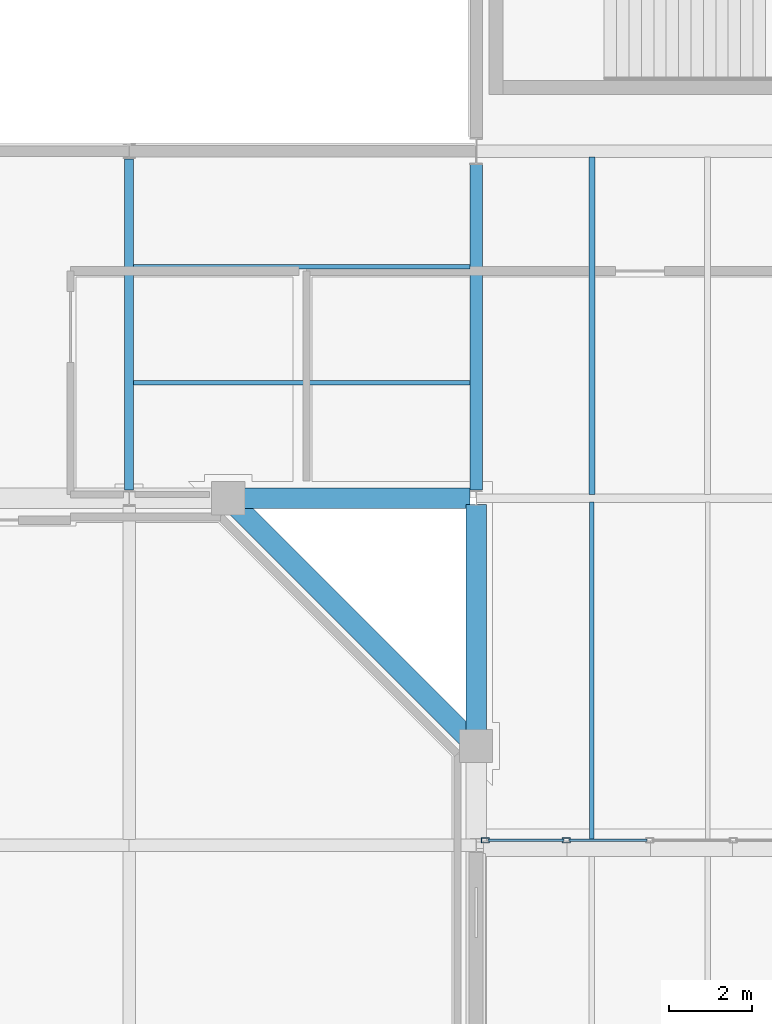
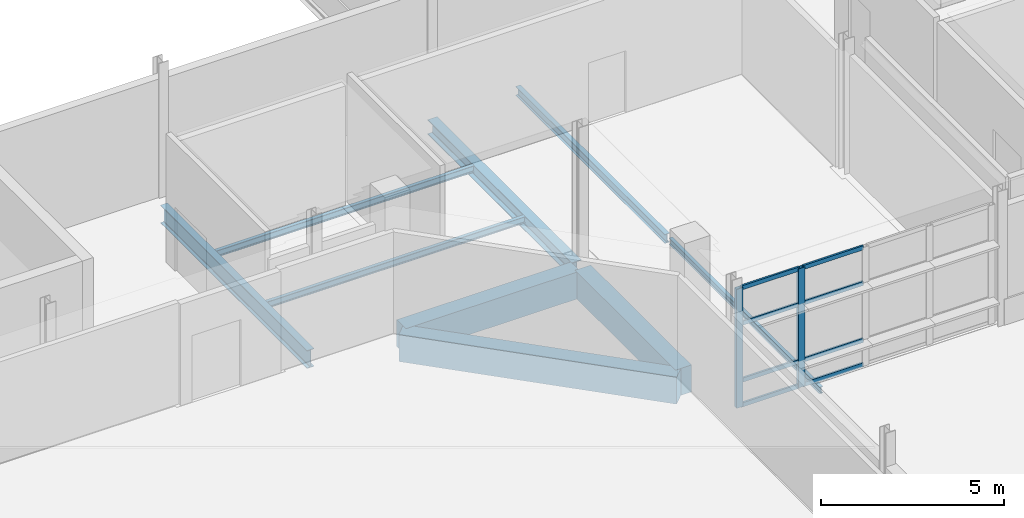
# One storey, part 23 of 129: 10 members, 9 beams, 1 element without a shape of its own.
"""IFC4 building model written with IfcOpenShell, lengths in metres."""

from ifc_helpers import new_model, si_unit, direction, frame, origin, origin_2d, place, context, subcontext, project, spatial, rectangle, hollow_rectangle, i_section, extrude, material, material_profile, profile_set, type_object, element, aggregate, save


model = new_model("IFC4")

# Units and contexts
model_context = context("Model", 3, precision=1e-05, world=origin(), true_north=direction((0.0, 1.0)))
body_context = subcontext(model_context, "Body", "Model", "MODEL_VIEW")
ifc_project = project(units=[si_unit("LENGTHUNIT", "METRE"), si_unit("AREAUNIT", "SQUARE_METRE"), si_unit("VOLUMEUNIT", "CUBIC_METRE"), si_unit("PLANEANGLEUNIT", "RADIAN"), si_unit("MASSUNIT", "GRAM", prefix="KILO")], contexts=[model_context])

# Site, building, storey
site_placement = place(None, origin())
site = spatial("IfcSite", under=ifc_project, at=site_placement, CompositionType="ELEMENT")
building_placement = place(site_placement, origin())
building = spatial("IfcBuilding", under=site, at=building_placement, Name="Mersafa Astral City Hall", CompositionType="ELEMENT")
storey_placement = place(building_placement, frame((0.0, 0.0, 5.39990234375)))
storey = spatial("IfcBuildingStorey", under=building, at=storey_placement, Name="L01", CompositionType="ELEMENT", Elevation=5.39990234375)

# Curtain wall, members
ifc_material_1 = material(Name="Anodised bronze aluminium framing", Category="aluminium")
curtain_wall_type = type_object("IfcCurtainWallType", Name="ENV-CW-4", PredefinedType="USERDEFINED", material=ifc_material_1)
curtain_wall_placement = place(storey_placement, origin())
curtain_wall = element("IfcCurtainWall", 1, at=curtain_wall_placement, inside=storey, type_object=curtain_wall_type, Name="L01 Unitised solar curtain wall 45", ObjectType="UNITISED CURTAIN WALL", PredefinedType="USERDEFINED")
ifc_material_profile_1 = material_profile(ifc_material_1, hollow_rectangle(XDim=0.1201171875, YDim=0.199951171875, WallThickness=0.008056640625, at=origin_2d()), Name="RHS 120x200x8")
ifc_profile_set_1 = profile_set([ifc_material_profile_1], Name="Anodised bronze aluminium framing")
member_type_1 = type_object("IfcMemberType", Name="ENV-CW-MUL-2", PredefinedType="MULLION", material=ifc_profile_set_1)
member_1_placement = place(storey_placement, frame((92.6220703125, 16.919921875, -0.001953125), z_axis=(0.0, 0.0, 1.0), x_axis=(0.0, 1.0, 0.0)))
member_1 = element("IfcMember", 2, at=member_1_placement, type_object=member_type_1, Name="CW-4 mullion 1", PredefinedType="MULLION", context=body_context, shape_type="SweptSolid", body=[
    extrude(hollow_rectangle(XDim=0.1201171875, YDim=0.199951171875, WallThickness=0.008056640625, at=origin_2d()), origin(), (0.0, 0.0, 1.0), 3.968994140625),
])
member_2_placement = place(storey_placement, frame((94.5810546875, 16.919921875, -0.001953125), z_axis=(0.0, 0.0, 1.0), x_axis=(0.0, 1.0, 0.0)))
member_2 = element("IfcMember", 3, at=member_2_placement, type_object=member_type_1, Name="CW-4 mullion 2", PredefinedType="MULLION", context=body_context, shape_type="SweptSolid", body=[
    extrude(hollow_rectangle(XDim=0.1201171875, YDim=0.199951171875, WallThickness=0.008056640625, at=origin_2d()), origin(), (0.0, 0.0, 1.0), 3.968994140625),
])
ifc_material_profile_2 = material_profile(ifc_material_1, hollow_rectangle(XDim=0.06005859375, YDim=0.139892578125, WallThickness=0.00390625, at=origin_2d()), Name="RHS 60x140x4")
ifc_profile_set_2 = profile_set([ifc_material_profile_2], Name="Anodised bronze aluminium framing")
member_type_2 = type_object("IfcMemberType", Name="ENV-CW-TRN-1", PredefinedType="USERDEFINED", material=ifc_profile_set_2)
member_3_placement = place(storey_placement, frame((92.681884765625, 16.919921875, 0.028076171875), z_axis=(1.0, 0.0, 0.0), x_axis=(0.0, 1.0, 0.0)))
member_3 = element("IfcMember", 4, at=member_3_placement, type_object=member_type_2, Name="CW-4 transom 1.1", ObjectType="TRANSOM", PredefinedType="USERDEFINED", context=body_context, shape_type="SweptSolid", body=[
    extrude(hollow_rectangle(XDim=0.06005859375, YDim=0.139892578125, WallThickness=0.00390625, at=origin_2d()), origin(), (0.0, 0.0, 1.0), 1.839111328125),
])
member_4_placement = place(storey_placement, frame((92.681884765625, 16.919921875, 0.85009765625), z_axis=(1.0, 0.0, 0.0), x_axis=(0.0, 1.0, 0.0)))
member_4 = element("IfcMember", 5, at=member_4_placement, type_object=member_type_2, Name="CW-4 transom 1.2", ObjectType="TRANSOM", PredefinedType="USERDEFINED", context=body_context, shape_type="SweptSolid", body=[
    extrude(hollow_rectangle(XDim=0.06005859375, YDim=0.139892578125, WallThickness=0.00390625, at=origin_2d()), origin(), (0.0, 0.0, 1.0), 1.839111328125),
])
member_5_placement = place(storey_placement, frame((92.681884765625, 16.919921875, 2.75), z_axis=(1.0, 0.0, 0.0), x_axis=(0.0, 1.0, 0.0)))
member_5 = element("IfcMember", 6, at=member_5_placement, type_object=member_type_2, Name="CW-4 transom 1.3", ObjectType="TRANSOM", PredefinedType="USERDEFINED", context=body_context, shape_type="SweptSolid", body=[
    extrude(hollow_rectangle(XDim=0.06005859375, YDim=0.139892578125, WallThickness=0.00390625, at=origin_2d()), origin(), (0.0, 0.0, 1.0), 1.839111328125),
])
member_6_placement = place(storey_placement, frame((92.681884765625, 16.919921875, 3.93701171875), z_axis=(1.0, 0.0, 0.0), x_axis=(0.0, 1.0, 0.0)))
member_6 = element("IfcMember", 7, at=member_6_placement, type_object=member_type_2, Name="CW-4 transom 1.4", ObjectType="TRANSOM", PredefinedType="USERDEFINED", context=body_context, shape_type="SweptSolid", body=[
    extrude(hollow_rectangle(XDim=0.06005859375, YDim=0.139892578125, WallThickness=0.00390625, at=origin_2d()), origin(), (0.0, 0.0, 1.0), 1.839111328125),
])
member_7_placement = place(storey_placement, frame((94.64111328125, 16.919921875, 0.028076171875), z_axis=(1.0, 0.0, 0.0), x_axis=(0.0, 1.0, 0.0)))
member_7 = element("IfcMember", 8, at=member_7_placement, type_object=member_type_2, Name="CW-4 transom 2.1", ObjectType="TRANSOM", PredefinedType="USERDEFINED", context=body_context, shape_type="SweptSolid", body=[
    extrude(hollow_rectangle(XDim=0.06005859375, YDim=0.139892578125, WallThickness=0.00390625, at=origin_2d()), origin(), (0.0, 0.0, 1.0), 1.89892578125),
])
member_8_placement = place(storey_placement, frame((94.64111328125, 16.919921875, 0.85009765625), z_axis=(1.0, 0.0, 0.0), x_axis=(0.0, 1.0, 0.0)))
member_8 = element("IfcMember", 9, at=member_8_placement, type_object=member_type_2, Name="CW-4 transom 2.2", ObjectType="TRANSOM", PredefinedType="USERDEFINED", context=body_context, shape_type="SweptSolid", body=[
    extrude(hollow_rectangle(XDim=0.06005859375, YDim=0.139892578125, WallThickness=0.00390625, at=origin_2d()), origin(), (0.0, 0.0, 1.0), 1.89892578125),
])
member_9_placement = place(storey_placement, frame((94.64111328125, 16.919921875, 2.75), z_axis=(1.0, 0.0, 0.0), x_axis=(0.0, 1.0, 0.0)))
member_9 = element("IfcMember", 10, at=member_9_placement, type_object=member_type_2, Name="CW-4 transom 2.3", ObjectType="TRANSOM", PredefinedType="USERDEFINED", context=body_context, shape_type="SweptSolid", body=[
    extrude(hollow_rectangle(XDim=0.06005859375, YDim=0.139892578125, WallThickness=0.00390625, at=origin_2d()), origin(), (0.0, 0.0, 1.0), 1.89892578125),
])
member_10_placement = place(storey_placement, frame((94.64111328125, 16.919921875, 3.93701171875), z_axis=(1.0, 0.0, 0.0), x_axis=(0.0, 1.0, 0.0)))
member_10 = element("IfcMember", 11, at=member_10_placement, type_object=member_type_2, Name="CW-4 transom 2.4", ObjectType="TRANSOM", PredefinedType="USERDEFINED", context=body_context, shape_type="SweptSolid", body=[
    extrude(hollow_rectangle(XDim=0.06005859375, YDim=0.139892578125, WallThickness=0.00390625, at=origin_2d()), origin(), (0.0, 0.0, 1.0), 1.89892578125),
])
aggregate(curtain_wall, [member_1, member_2, member_3, member_4, member_5, member_6, member_7, member_8, member_9, member_10])

# Beams
ifc_material_2 = material(Name="Concrete C40/50", Category="concrete")
ifc_material_profile_3 = material_profile(ifc_material_2, rectangle(XDim=0.5, YDim=0.89990234375, at=origin_2d()), Name="RC 500x900")
ifc_profile_set_3 = profile_set([ifc_material_profile_3], Name="Concrete C40/50")
beam_type_1 = type_object("IfcBeamType", Name="STR-BM-DRUM-RC500X900", PredefinedType="BEAM", material=ifc_profile_set_3)
beam_1_placement = place(storey_placement, frame((92.180908203125, 19.419189453125, -0.6748046875), z_axis=(-0.707122301018, 0.707091261015, 0.0), x_axis=(-0.707091261015, -0.707122301018, 0.0)))
element("IfcBeam", 12, at=beam_1_placement, inside=storey, type_object=beam_type_1, Name="L01 Chamber drum ring beam 4", PredefinedType="BEAM", context=body_context, shape_type="SweptSolid", body=[
    extrude(rectangle(XDim=0.5, YDim=0.89990234375, at=origin_2d()), origin(), (0.0, 0.0, 1.0), 7.865234375),
])
for number, where, z_axis, x_axis, name in (
    (13, (92.39990234375, 19.550048828125, -0.6748046875), (0.0, 1.0, 0.0), (-1.0, 0.0, 0.0), "L01 Chamber E frame tie beam"),
    (14, (86.75, 25.199951171875, -0.6748046875), (1.0, 0.0, 0.0), (0.0, 1.0, 0.0), "L01 Chamber NE foyer tie beam"),
):
    element("IfcBeam", number, at=place(storey_placement, frame(where, z_axis=z_axis, x_axis=x_axis)), inside=storey, type_object=beam_type_1, Name=name, PredefinedType="BEAM", context=body_context, shape_type="SweptSolid", body=[
        extrude(rectangle(XDim=0.5, YDim=0.89990234375, at=origin_2d()), origin(), (0.0, 0.0, 1.0), 5.5),
    ])
ifc_material_3 = material(Name="Steel S355", Category="steel")
ifc_material_profile_4 = material_profile(ifc_material_3, i_section(OverallWidth=0.300048828125, OverallDepth=0.489990234375, WebThickness=0.011962890625, FlangeThickness=0.02294921875, FilletRadius=0.027099609375, at=origin_2d()), Name="HEA 500")
ifc_profile_set_4 = profile_set([ifc_material_profile_4], Name="Steel S355")
beam_type_2 = type_object("IfcBeamType", Name="STR-BM-HEA500", PredefinedType="BEAM", material=ifc_profile_set_4)
beam_2_placement = place(storey_placement, frame((92.39990234375, 25.39501953125, -0.469970703125), z_axis=(0.0, 1.0, 0.0), x_axis=(-1.0, 0.0, 0.0)))
element("IfcBeam", 15, at=beam_2_placement, inside=storey, type_object=beam_type_2, Name="L01 Primary girder Y 11-3", PredefinedType="BEAM", context=body_context, shape_type="SweptSolid", body=[
    extrude(i_section(OverallWidth=0.300048828125, OverallDepth=0.489990234375, WebThickness=0.011962890625, FlangeThickness=0.02294921875, FilletRadius=0.027099609375, at=origin_2d()), origin(), (0.0, 0.0, 1.0), 7.885009765625),
])
ifc_material_profile_5 = material_profile(ifc_material_3, i_section(OverallWidth=0.219970703125, OverallDepth=0.60009765625, WebThickness=0.011962890625, FlangeThickness=0.01904296875, FilletRadius=0.02392578125, at=origin_2d()), Name="IPE 600")
ifc_profile_set_5 = profile_set([ifc_material_profile_5], Name="Steel S355")
beam_type_3 = type_object("IfcBeamType", Name="STR-BM-IPE600", PredefinedType="BEAM", material=ifc_profile_set_5)
beam_3_placement = place(storey_placement, frame((84.0, 25.39501953125, -0.52490234375), z_axis=(0.0, 1.0, 0.0), x_axis=(-1.0, 0.0, 0.0)))
element("IfcBeam", 16, at=beam_3_placement, inside=storey, type_object=beam_type_3, Name="L01 Primary girder Y 10-3", PredefinedType="BEAM", context=body_context, shape_type="SweptSolid", body=[
    extrude(i_section(OverallWidth=0.219970703125, OverallDepth=0.60009765625, WebThickness=0.011962890625, FlangeThickness=0.01904296875, FilletRadius=0.02392578125, at=origin_2d()), origin(), (0.0, 0.0, 1.0), 8.010009765625),
])
ifc_material_profile_6 = material_profile(ifc_material_3, i_section(OverallWidth=0.110107421875, OverallDepth=0.219970703125, WebThickness=0.005859375, FlangeThickness=0.00927734375, FilletRadius=0.011962890625, at=origin_2d()), Name="IPE 220")
ifc_profile_set_6 = profile_set([ifc_material_profile_6], Name="Steel S355")
beam_type_4 = type_object("IfcBeamType", Name="STR-BM-JOIST-IPE220", PredefinedType="JOIST", material=ifc_profile_set_6)
for number, where, z_axis, x_axis, name in (
    (17, (84.10498046875, 28.0, -0.3349609375), (1.0, 0.0, 0.0), (0.0, 1.0, 0.0), "L01 Composite secondary floor joist 262"),
    (18, (84.10498046875, 30.800048828125, -0.3349609375), (1.0, 0.0, 0.0), (0.0, 1.0, 0.0), "L01 Composite secondary floor joist 263"),
):
    element("IfcBeam", number, at=place(storey_placement, frame(where, z_axis=z_axis, x_axis=x_axis)), inside=storey, type_object=beam_type_4, Name=name, PredefinedType="JOIST", context=body_context, shape_type="SweptSolid", body=[
        extrude(i_section(OverallWidth=0.110107421875, OverallDepth=0.219970703125, WebThickness=0.005859375, FlangeThickness=0.00927734375, FilletRadius=0.011962890625, at=origin_2d()), origin(), (0.0, 0.0, 1.0), 8.14990234375),
    ])
beam_4_placement = place(storey_placement, frame((95.199951171875, 16.875, -0.3349609375), z_axis=(0.0, 1.0, 0.0), x_axis=(-1.0, 0.0, 0.0)))
element("IfcBeam", 19, at=beam_4_placement, inside=storey, type_object=beam_type_4, Name="L01 Composite secondary floor joist 268", PredefinedType="JOIST", context=body_context, shape_type="SweptSolid", body=[
    extrude(i_section(OverallWidth=0.110107421875, OverallDepth=0.219970703125, WebThickness=0.005859375, FlangeThickness=0.00927734375, FilletRadius=0.011962890625, at=origin_2d()), origin(), (0.0, 0.0, 1.0), 8.22998046875),
])
ifc_material_profile_7 = material_profile(ifc_material_3, i_section(OverallWidth=0.14990234375, OverallDepth=0.300048828125, WebThickness=0.007080078125, FlangeThickness=0.0107421875, FilletRadius=0.014892578125, at=origin_2d()), Name="IPE 300")
ifc_profile_set_7 = profile_set([ifc_material_profile_7], Name="Steel S355")
beam_type_5 = type_object("IfcBeamType", Name="STR-BM-JOIST-IPE300", PredefinedType="JOIST", material=ifc_profile_set_7)
beam_5_placement = place(storey_placement, frame((95.199951171875, 25.294921875, -0.375), z_axis=(0.0, 1.0, 0.0), x_axis=(-1.0, 0.0, 0.0)))
element("IfcBeam", 20, at=beam_5_placement, inside=storey, type_object=beam_type_5, Name="L01 Composite secondary floor joist 270", PredefinedType="JOIST", context=body_context, shape_type="SweptSolid", body=[
    extrude(i_section(OverallWidth=0.14990234375, OverallDepth=0.300048828125, WebThickness=0.007080078125, FlangeThickness=0.0107421875, FilletRadius=0.014892578125, at=origin_2d()), origin(), (0.0, 0.0, 1.0), 8.16015625),
])

save(model, "model.ifc")
